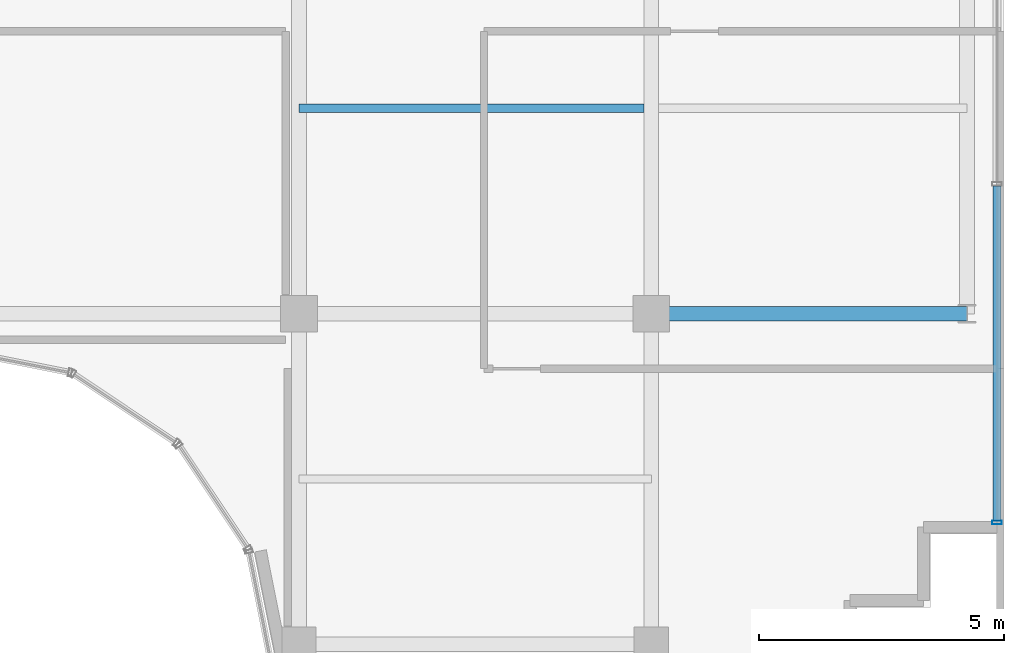
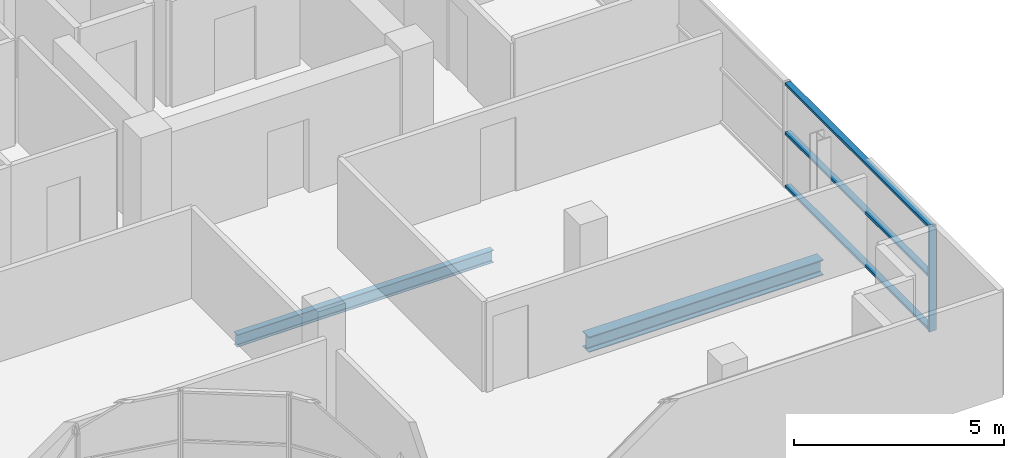
# One storey, part 12 of 28: 4 members, 2 beams, 1 element without a shape of its own.
"""IFC4 building model written with IfcOpenShell, lengths in metres."""

from ifc_helpers import new_model, si_unit, direction, frame, origin, origin_2d, place, context, subcontext, project, spatial, hollow_rectangle, i_section, extrude, source, transform, mapped, material, layer, layer_set, material_profile, profile_set, type_object, element, aggregate, save


model = new_model("IFC4")

# Units and contexts
model_context = context("Model", 3, precision=1e-05, world=origin(), true_north=direction((0.0, 1.0)))
body_context = subcontext(model_context, "Body", "Model", "MODEL_VIEW")
ifc_project = project(units=[si_unit("LENGTHUNIT", "METRE"), si_unit("AREAUNIT", "SQUARE_METRE"), si_unit("VOLUMEUNIT", "CUBIC_METRE"), si_unit("PLANEANGLEUNIT", "RADIAN"), si_unit("MASSUNIT", "GRAM", prefix="KILO")], contexts=[model_context])

# Site, building, storey
site_placement = place(None, origin())
site = spatial("IfcSite", under=ifc_project, at=site_placement, CompositionType="ELEMENT")
building_placement = place(site_placement, origin())
building = spatial("IfcBuilding", under=site, at=building_placement, Name="Zarnakvel Exchange Tower", CompositionType="ELEMENT")
storey_placement = place(building_placement, frame((0.0, 0.0, 261.699951171875)))
storey = spatial("IfcBuildingStorey", under=building, at=storey_placement, Name="L74", CompositionType="ELEMENT", Elevation=261.699951171875)

# Beams
ifc_material_1 = material(Name="Steel S355", Category="steel")
ifc_material_profile_1 = material_profile(ifc_material_1, i_section(OverallWidth=0.169921875, OverallDepth=0.360107421875, WebThickness=0.008056640625, FlangeThickness=0.0126953125, FilletRadius=0.01806640625, at=origin_2d()))
ifc_profile_set_1 = profile_set([ifc_material_profile_1], Name="Steel S355")
beam_type_1 = type_object("IfcBeamType", Name="B-07", PredefinedType="JOIST", material=ifc_profile_set_1)
beam_1_placement = place(storey_placement, frame((7.199951171875, -5.39990234375, -0.405029296875), z_axis=(1.0, 0.0, 0.0), x_axis=(0.0, 1.0, 0.0)))
element("IfcBeam", 1, at=beam_1_placement, inside=storey, type_object=beam_type_1, Name="L74 Composite Floor Secondary Joist", PredefinedType="JOIST", context=body_context, shape_type="SweptSolid", body=[
    extrude(i_section(OverallWidth=0.169921875, OverallDepth=0.360107421875, WebThickness=0.008056640625, FlangeThickness=0.0126953125, FilletRadius=0.01806640625, at=origin_2d()), origin(), (0.0, 0.0, 1.0), 7.050048828125),
])
ifc_material_profile_2 = material_profile(ifc_material_1, i_section(OverallWidth=0.300048828125, OverallDepth=0.449951171875, WebThickness=0.013916015625, FlangeThickness=0.02587890625, FilletRadius=0.027099609375, at=origin_2d()))
ifc_profile_set_2 = profile_set([ifc_material_profile_2], Name="Steel S355")
beam_type_2 = type_object("IfcBeamType", Name="G-07", PredefinedType="BEAM", material=ifc_profile_set_2)
beam_2_placement = place(storey_placement, frame((14.39990234375, -9.60009765625, -0.449951171875), z_axis=(1.0, 0.0, 0.0), x_axis=(0.0, 1.0, 0.0)))
element("IfcBeam", 2, at=beam_2_placement, inside=storey, type_object=beam_type_2, Name="L74 Tower E-W Frame Beam", PredefinedType="BEAM", context=body_context, shape_type="SweptSolid", body=[
    extrude(i_section(OverallWidth=0.300048828125, OverallDepth=0.449951171875, WebThickness=0.013916015625, FlangeThickness=0.02587890625, FilletRadius=0.027099609375, at=origin_2d()), origin(), (0.0, 0.0, 1.0), 6.4501953125),
])

# Curtain wall, members
ifc_material_2 = material(Name="Architectural Bronze Anodised Aluminium", Category="aluminium")
ifc_layer = layer(ifc_material_2, 0.199951171875)
ifc_layer_set = layer_set([ifc_layer], Name="Architectural Bronze Anodised Aluminium")
curtain_wall_type = type_object("IfcCurtainWallType", Name="CW-04", PredefinedType="NOTDEFINED", material=ifc_layer_set)
curtain_wall_placement = place(storey_placement, origin())
curtain_wall = element("IfcCurtainWall", 3, at=curtain_wall_placement, inside=storey, type_object=curtain_wall_type, Name="L74 Curtain Wall CW-L74-E1 (CW-04)", PredefinedType="NOTDEFINED")
ifc_material_profile_3 = material_profile(ifc_material_2, hollow_rectangle(XDim=0.199951171875, YDim=0.074951171875, WallThickness=0.0048828125, at=origin_2d()))
ifc_profile_set_3 = profile_set([ifc_material_profile_3], Name="Architectural Bronze Anodised Aluminium")
member_type_1 = type_object("IfcMemberType", Name="CWM-04", PredefinedType="MULLION", material=ifc_profile_set_3)
shared_shape_1 = source(origin(), body_context, "Body", "SweptSolid", [
    extrude(hollow_rectangle(XDim=0.199951171875, YDim=0.074951171875, WallThickness=0.0048828125, at=origin_2d()), origin(), (0.0, 0.0, 1.0), 3.054931640625),
])
member_1_placement = place(storey_placement, frame((21.4599609375, -13.862548828125, 0.0), z_axis=(0.0, 0.0, 1.0), x_axis=(-1.0, 0.0, 0.0)))
member_1 = element("IfcMember", 4, at=member_1_placement, type_object=member_type_1, Name="CW-04 mullion 1", PredefinedType="MULLION", context=body_context, shape_type="MappedRepresentation", body=[
    mapped(shared_shape_1, transform((0.0, 0.0, 0.0), x_axis=(1.0, 0.0, 0.0), y_axis=(0.0, 1.0, 0.0), z_axis=(0.0, 0.0, 1.0), scale=1.0)),
])
ifc_material_profile_4 = material_profile(ifc_material_2, hollow_rectangle(XDim=0.159912109375, YDim=0.074951171875, WallThickness=0.00390625, at=origin_2d()))
ifc_profile_set_4 = profile_set([ifc_material_profile_4], Name="Architectural Bronze Anodised Aluminium")
member_type_2 = type_object("IfcMemberType", Name="CWT-04", PredefinedType="USERDEFINED", material=ifc_profile_set_4)
shared_shape_2 = source(origin(), body_context, "Body", "SweptSolid", [
    extrude(hollow_rectangle(XDim=0.159912109375, YDim=0.074951171875, WallThickness=0.00390625, at=origin_2d()), origin(), (0.0, 0.0, 1.0), 6.83740234375),
])
member_2_placement = place(storey_placement, frame((21.4599609375, -13.824951171875, 0.03759765625), z_axis=(0.0, 1.0, 0.0), x_axis=(-1.0, 0.0, 0.0)))
member_2 = element("IfcMember", 5, at=member_2_placement, type_object=member_type_2, Name="CW-04 transom 1.1", ObjectType="TRANSOM", PredefinedType="USERDEFINED", context=body_context, shape_type="MappedRepresentation", body=[
    mapped(shared_shape_2, transform((0.0, 0.0, 0.0), x_axis=(1.0, 0.0, 0.0), y_axis=(0.0, 1.0, 0.0), z_axis=(0.0, 0.0, 1.0), scale=1.0)),
])
member_3_placement = place(storey_placement, frame((21.4599609375, -13.824951171875, 1.588623046875), z_axis=(0.0, 1.0, 0.0), x_axis=(-1.0, 0.0, 0.0)))
member_3 = element("IfcMember", 6, at=member_3_placement, type_object=member_type_2, Name="CW-04 transom 1.2", ObjectType="TRANSOM", PredefinedType="USERDEFINED", context=body_context, shape_type="MappedRepresentation", body=[
    mapped(shared_shape_2, transform((0.0, 0.0, 0.0), x_axis=(1.0, 0.0, 0.0), y_axis=(0.0, 1.0, 0.0), z_axis=(0.0, 0.0, 1.0), scale=1.0)),
])
member_4_placement = place(storey_placement, frame((21.4599609375, -13.824951171875, 3.017578125), z_axis=(0.0, 1.0, 0.0), x_axis=(-1.0, 0.0, 0.0)))
member_4 = element("IfcMember", 7, at=member_4_placement, type_object=member_type_2, Name="CW-04 transom 1.3", ObjectType="TRANSOM", PredefinedType="USERDEFINED", context=body_context, shape_type="MappedRepresentation", body=[
    mapped(shared_shape_2, transform((0.0, 0.0, 0.0), x_axis=(1.0, 0.0, 0.0), y_axis=(0.0, 1.0, 0.0), z_axis=(0.0, 0.0, 1.0), scale=1.0)),
])
aggregate(curtain_wall, [member_1, member_2, member_3, member_4])

save(model, "model.ifc")
